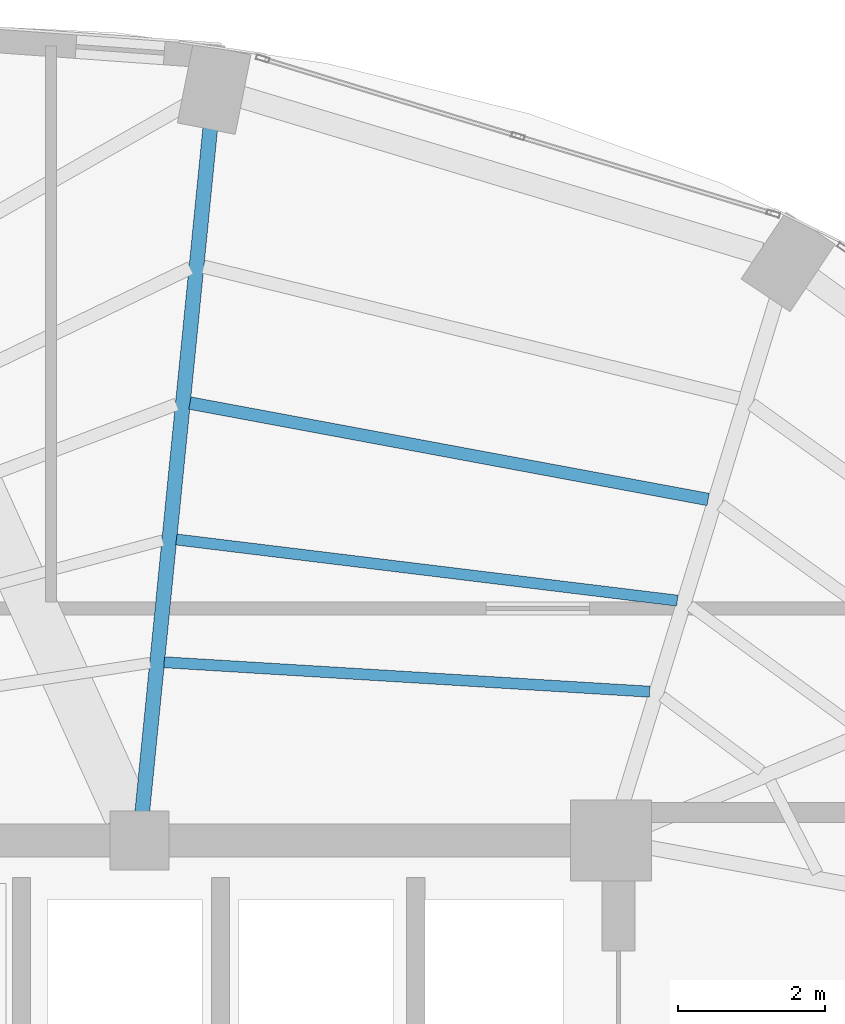
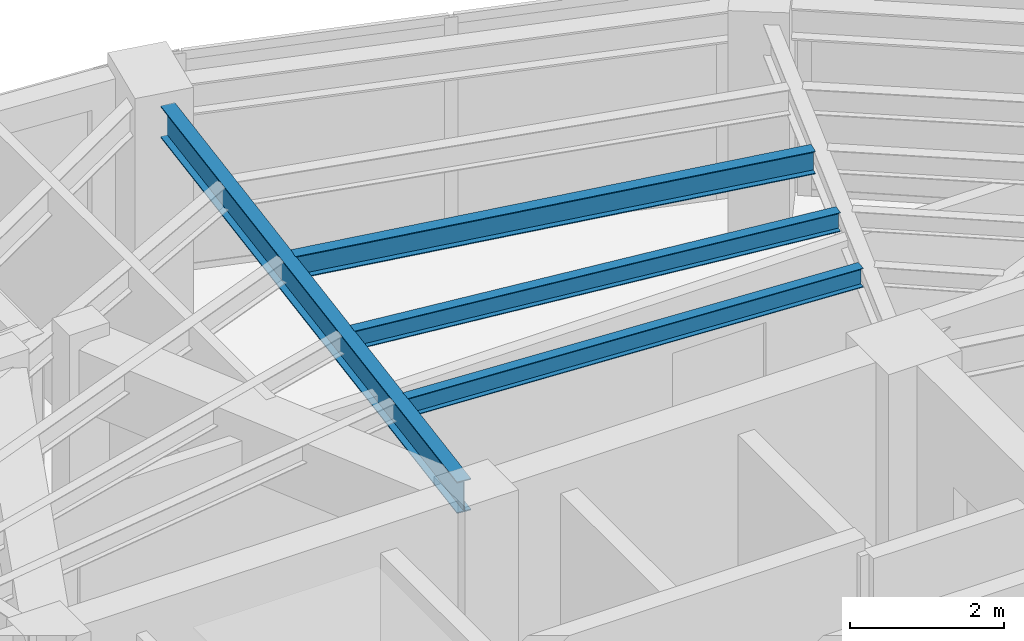
# One storey, part 12 of 23: 4 beams.
"""IFC4 building model written with IfcOpenShell, lengths in metres."""

from ifc_helpers import new_model, si_unit, direction, frame, origin, origin_2d, place, context, subcontext, project, spatial, i_section, extrude, material, material_profile, profile_set, type_object, element, save


model = new_model("IFC4")

# Units and contexts
model_context = context("Model", 3, precision=1e-05, world=origin(), true_north=direction((0.0, 1.0)))
body_context = subcontext(model_context, "Body", "Model", "MODEL_VIEW")
ifc_project = project(units=[si_unit("LENGTHUNIT", "METRE"), si_unit("AREAUNIT", "SQUARE_METRE"), si_unit("VOLUMEUNIT", "CUBIC_METRE"), si_unit("PLANEANGLEUNIT", "RADIAN"), si_unit("MASSUNIT", "GRAM", prefix="KILO")], contexts=[model_context])

# Site, building, storey
site_placement = place(None, origin())
site = spatial("IfcSite", under=ifc_project, at=site_placement, CompositionType="ELEMENT")
building_placement = place(site_placement, origin())
building = spatial("IfcBuilding", under=site, at=building_placement, Name="Lazwardi Medical Tower", CompositionType="ELEMENT")
storey_placement = place(building_placement, frame((0.0, 0.0, 231.31201171875)))
storey = spatial("IfcBuildingStorey", under=building, at=storey_placement, Name="L60", CompositionType="ELEMENT", Elevation=231.31201171875)

# Beams
ifc_material = material(Name="Steel S355", Category="steel")
ifc_material_profile_1 = material_profile(ifc_material, i_section(OverallWidth=0.199951171875, OverallDepth=0.5, WebThickness=0.01025390625, FlangeThickness=0.01611328125, at=origin_2d()), Name="IPE 500")
ifc_profile_set_1 = profile_set([ifc_material_profile_1], Name="Steel S355")
beam_type_1 = type_object("IfcBeamType", Name="BM-RG-W3", PredefinedType="BEAM", material=ifc_profile_set_1)
beam_1_placement = place(storey_placement, frame((40.1611328125, 45.265869140625, 3.197998046875), z_axis=(-0.098954361922, -0.995091972763, 0.0), x_axis=(0.995091972763, -0.098954361922, 0.0)))
element("IfcBeam", 1, at=beam_1_placement, inside=storey, type_object=beam_type_1, Name="Radial girder RG-04 R08 L60", PredefinedType="BEAM", context=body_context, shape_type="SweptSolid", body=[
    extrude(i_section(OverallWidth=0.199951171875, OverallDepth=0.5, WebThickness=0.01025390625, FlangeThickness=0.01611328125, at=origin_2d()), origin(), (0.0, 0.0, 1.0), 9.32861328125),
])
ifc_material_profile_2 = material_profile(ifc_material, i_section(OverallWidth=0.169921875, OverallDepth=0.360107421875, WebThickness=0.008056640625, FlangeThickness=0.0126953125, at=origin_2d()), Name="IPE 360")
ifc_profile_set_2 = profile_set([ifc_material_profile_2], Name="Steel S355")
beam_type_2 = type_object("IfcBeamType", Name="BM-SJ-02", PredefinedType="JOIST", material=ifc_profile_set_2)
beam_2_placement = place(storey_placement, frame((46.91552734375, 40.2275390625, 3.26806640625), z_axis=(-0.983132476587, 0.182894870019, 0.0), x_axis=(-0.182894870019, -0.983132476587, 0.0)))
element("IfcBeam", 2, at=beam_2_placement, inside=storey, type_object=beam_type_2, Name="Secondary joist SJ-02 R2 B07 L60", PredefinedType="JOIST", context=body_context, shape_type="SweptSolid", body=[
    extrude(i_section(OverallWidth=0.169921875, OverallDepth=0.360107421875, WebThickness=0.008056640625, FlangeThickness=0.0126953125, at=origin_2d()), origin(), (0.0, 0.0, 1.0), 7.15087890625),
])
ifc_material_profile_3 = material_profile(ifc_material, i_section(OverallWidth=0.14990234375, OverallDepth=0.300048828125, WebThickness=0.007080078125, FlangeThickness=0.0107421875, at=origin_2d()), Name="IPE 300")
ifc_profile_set_3 = profile_set([ifc_material_profile_3], Name="Steel S355")
beam_type_3 = type_object("IfcBeamType", Name="BM-SJ-03", PredefinedType="JOIST", material=ifc_profile_set_3)
beam_3_placement = place(storey_placement, frame((46.4970703125, 38.85546875, 3.298095703125), z_axis=(-0.992634689535, 0.121146081783, 0.0), x_axis=(-0.121146081783, -0.992634689535, 0.0)))
element("IfcBeam", 3, at=beam_3_placement, inside=storey, type_object=beam_type_3, Name="Secondary joist SJ-03 R3 B07 L60", PredefinedType="JOIST", context=body_context, shape_type="SweptSolid", body=[
    extrude(i_section(OverallWidth=0.14990234375, OverallDepth=0.300048828125, WebThickness=0.007080078125, FlangeThickness=0.0107421875, at=origin_2d()), origin(), (0.0, 0.0, 1.0), 6.845947265625),
])
beam_4_placement = place(storey_placement, frame((46.120849609375, 37.6201171875, 3.298095703125), z_axis=(-0.998165515862, 0.060544223044, 0.0), x_axis=(-0.060544223044, -0.998165515862, 0.0)))
element("IfcBeam", 4, at=beam_4_placement, inside=storey, type_object=beam_type_3, Name="Secondary joist SJ-03 R4 B07 L60", PredefinedType="JOIST", context=body_context, shape_type="SweptSolid", body=[
    extrude(i_section(OverallWidth=0.14990234375, OverallDepth=0.300048828125, WebThickness=0.007080078125, FlangeThickness=0.0107421875, at=origin_2d()), origin(), (0.0, 0.0, 1.0), 6.59716796875),
])

save(model, "model.ifc")
